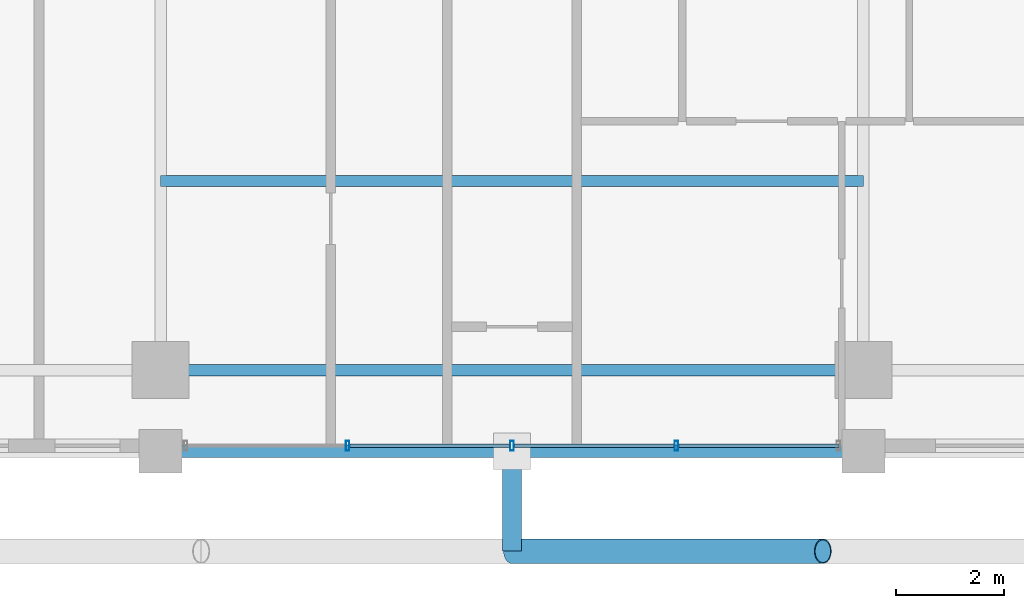
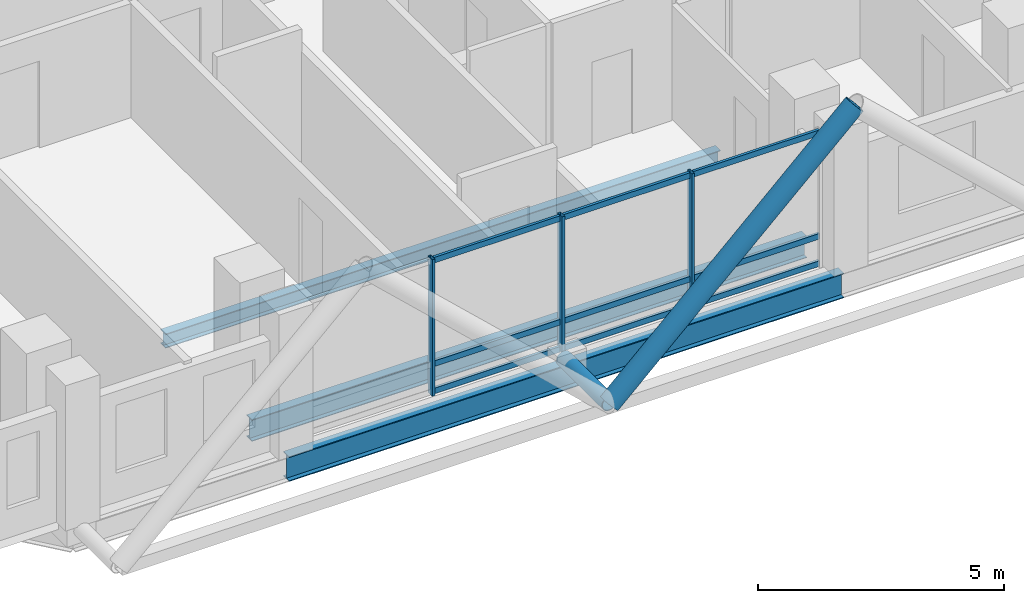
# One storey, part 4 of 26: 14 members, 3 beams, 1 element without a shape of its own.
"""IFC4 building model written with IfcOpenShell, lengths in metres."""

from ifc_helpers import new_model, si_unit, direction, frame, origin, origin_2d, place, context, subcontext, project, spatial, hollow_rectangle, hollow_circle, i_section, extrude, material, layer, layer_set, material_profile, profile_set, type_object, element, aggregate, save


model = new_model("IFC4")

# Units and contexts
model_context = context("Model", 3, precision=1e-05, world=origin(), true_north=direction((0.0, 1.0)))
body_context = subcontext(model_context, "Body", "Model", "MODEL_VIEW")
ifc_project = project(units=[si_unit("LENGTHUNIT", "METRE"), si_unit("AREAUNIT", "SQUARE_METRE"), si_unit("VOLUMEUNIT", "CUBIC_METRE"), si_unit("PLANEANGLEUNIT", "RADIAN"), si_unit("MASSUNIT", "GRAM", prefix="KILO")], contexts=[model_context])

# Site, building, storey
site_placement = place(None, origin())
site = spatial("IfcSite", under=ifc_project, at=site_placement, CompositionType="ELEMENT")
building_placement = place(site_placement, origin())
building = spatial("IfcBuilding", under=site, at=building_placement, Name="Barlavira Tower and Art Museum", CompositionType="ELEMENT")
storey_placement = place(building_placement, frame((0.0, 0.0, 187.199951171875)))
storey = spatial("IfcBuildingStorey", under=building, at=storey_placement, Name="L48", CompositionType="ELEMENT", Elevation=187.199951171875)

# Curtain wall, members
ifc_material_1 = material(Name="Low-iron coastal laminated glass", Category="glass")
ifc_layer = layer(ifc_material_1, 0.199951171875, Name="Low-iron coastal laminated glass")
ifc_layer_set = layer_set([ifc_layer], Name="Low-iron coastal laminated glass")
curtain_wall_type = type_object("IfcCurtainWallType", Name="Pale-Metal Unitised Curtain Wall Zone 3", PredefinedType="NOTDEFINED", material=ifc_layer_set)
curtain_wall_placement = place(storey_placement, origin())
curtain_wall = element("IfcCurtainWall", 1, at=curtain_wall_placement, inside=storey, type_object=curtain_wall_type, Name="L48 Curtain Wall CW3-L48-S-B3", PredefinedType="NOTDEFINED")
ifc_material_2 = material(Name="Pale anodised aluminium", Category="aluminium")
ifc_material_profile_1 = material_profile(ifc_material_2, hollow_rectangle(XDim=0.06494140625, YDim=0.179931640625, WallThickness=0.00390625, at=origin_2d()), Name="ALU-MULL 65x180x4")
ifc_profile_set_1 = profile_set([ifc_material_profile_1], Name="Pale anodised aluminium")
member_type_1 = type_object("IfcMemberType", Name="Curtain Wall Pale-Metal Mullion 65x180", PredefinedType="MULLION", material=ifc_profile_set_1)
member_1_placement = place(storey_placement, frame((-3.0400390625, -21.39990234375, 0.0), z_axis=(0.0, 0.0, 1.0), x_axis=(1.0, 0.0, 0.0)))
member_1 = element("IfcMember", 2, at=member_1_placement, type_object=member_type_1, Name="CW3-L48-S-B3 Mullion 1", PredefinedType="MULLION", context=body_context, shape_type="SweptSolid", body=[
    extrude(hollow_rectangle(XDim=0.06494140625, YDim=0.179931640625, WallThickness=0.00390625, at=origin_2d()), origin(), (0.0, 0.0, 1.0), 3.380126953125),
])
member_2_placement = place(storey_placement, frame((0.0, -21.39990234375, 0.0), z_axis=(0.0, 0.0, 1.0), x_axis=(1.0, 0.0, 0.0)))
member_2 = element("IfcMember", 3, at=member_2_placement, type_object=member_type_1, Name="CW3-L48-S-B3 Mullion 2", PredefinedType="MULLION", context=body_context, shape_type="SweptSolid", body=[
    extrude(hollow_rectangle(XDim=0.06494140625, YDim=0.179931640625, WallThickness=0.00390625, at=origin_2d()), origin(), (0.0, 0.0, 1.0), 3.380126953125),
])
member_3_placement = place(storey_placement, frame((3.0400390625, -21.39990234375, 0.0), z_axis=(0.0, 0.0, 1.0), x_axis=(1.0, 0.0, 0.0)))
member_3 = element("IfcMember", 4, at=member_3_placement, type_object=member_type_1, Name="CW3-L48-S-B3 Mullion 3", PredefinedType="MULLION", context=body_context, shape_type="SweptSolid", body=[
    extrude(hollow_rectangle(XDim=0.06494140625, YDim=0.179931640625, WallThickness=0.00390625, at=origin_2d()), origin(), (0.0, 0.0, 1.0), 3.380126953125),
])
ifc_material_profile_2 = material_profile(ifc_material_2, hollow_rectangle(XDim=0.06494140625, YDim=0.139892578125, WallThickness=0.00390625, at=origin_2d()), Name="ALU-TRAN 65x140x4")
ifc_profile_set_2 = profile_set([ifc_material_profile_2], Name="Pale anodised aluminium")
member_type_2 = type_object("IfcMemberType", Name="Curtain Wall Pale-Metal Transom 65x140", PredefinedType="USERDEFINED", material=ifc_profile_set_2)
member_4_placement = place(storey_placement, frame((-2.9951171875, -21.39990234375, 0.070068359375), z_axis=(1.0, 0.0, 0.0), x_axis=(0.0, 1.0, 0.0)))
member_4 = element("IfcMember", 5, at=member_4_placement, type_object=member_type_2, Name="CW3-L48-S-B3 Transom 1.1", ObjectType="TRANSOM", PredefinedType="USERDEFINED", context=body_context, shape_type="SweptSolid", body=[
    extrude(hollow_rectangle(XDim=0.06494140625, YDim=0.139892578125, WallThickness=0.00390625, at=origin_2d()), origin(), (0.0, 0.0, 1.0), 2.9501953125),
])
member_5_placement = place(storey_placement, frame((-2.9951171875, -21.39990234375, 0.744140625), z_axis=(1.0, 0.0, 0.0), x_axis=(0.0, 1.0, 0.0)))
member_5 = element("IfcMember", 6, at=member_5_placement, type_object=member_type_2, Name="CW3-L48-S-B3 Transom 1.2", ObjectType="TRANSOM", PredefinedType="USERDEFINED", context=body_context, shape_type="SweptSolid", body=[
    extrude(hollow_rectangle(XDim=0.06494140625, YDim=0.139892578125, WallThickness=0.00390625, at=origin_2d()), origin(), (0.0, 0.0, 1.0), 2.9501953125),
])
member_6_placement = place(storey_placement, frame((-2.9951171875, -21.39990234375, 3.31005859375), z_axis=(1.0, 0.0, 0.0), x_axis=(0.0, 1.0, 0.0)))
member_6 = element("IfcMember", 7, at=member_6_placement, type_object=member_type_2, Name="CW3-L48-S-B3 Transom 1.3", ObjectType="TRANSOM", PredefinedType="USERDEFINED", context=body_context, shape_type="SweptSolid", body=[
    extrude(hollow_rectangle(XDim=0.06494140625, YDim=0.139892578125, WallThickness=0.00390625, at=origin_2d()), origin(), (0.0, 0.0, 1.0), 2.9501953125),
])
member_7_placement = place(storey_placement, frame((0.044921875, -21.39990234375, 0.070068359375), z_axis=(1.0, 0.0, 0.0), x_axis=(0.0, 1.0, 0.0)))
member_7 = element("IfcMember", 8, at=member_7_placement, type_object=member_type_2, Name="CW3-L48-S-B3 Transom 2.1", ObjectType="TRANSOM", PredefinedType="USERDEFINED", context=body_context, shape_type="SweptSolid", body=[
    extrude(hollow_rectangle(XDim=0.06494140625, YDim=0.139892578125, WallThickness=0.00390625, at=origin_2d()), origin(), (0.0, 0.0, 1.0), 2.9501953125),
])
member_8_placement = place(storey_placement, frame((0.044921875, -21.39990234375, 0.744140625), z_axis=(1.0, 0.0, 0.0), x_axis=(0.0, 1.0, 0.0)))
member_8 = element("IfcMember", 9, at=member_8_placement, type_object=member_type_2, Name="CW3-L48-S-B3 Transom 2.2", ObjectType="TRANSOM", PredefinedType="USERDEFINED", context=body_context, shape_type="SweptSolid", body=[
    extrude(hollow_rectangle(XDim=0.06494140625, YDim=0.139892578125, WallThickness=0.00390625, at=origin_2d()), origin(), (0.0, 0.0, 1.0), 2.9501953125),
])
member_9_placement = place(storey_placement, frame((0.044921875, -21.39990234375, 3.31005859375), z_axis=(1.0, 0.0, 0.0), x_axis=(0.0, 1.0, 0.0)))
member_9 = element("IfcMember", 10, at=member_9_placement, type_object=member_type_2, Name="CW3-L48-S-B3 Transom 2.3", ObjectType="TRANSOM", PredefinedType="USERDEFINED", context=body_context, shape_type="SweptSolid", body=[
    extrude(hollow_rectangle(XDim=0.06494140625, YDim=0.139892578125, WallThickness=0.00390625, at=origin_2d()), origin(), (0.0, 0.0, 1.0), 2.9501953125),
])
member_10_placement = place(storey_placement, frame((3.0849609375, -21.39990234375, 0.070068359375), z_axis=(1.0, 0.0, 0.0), x_axis=(0.0, 1.0, 0.0)))
member_10 = element("IfcMember", 11, at=member_10_placement, type_object=member_type_2, Name="CW3-L48-S-B3 Transom 3.1", ObjectType="TRANSOM", PredefinedType="USERDEFINED", context=body_context, shape_type="SweptSolid", body=[
    extrude(hollow_rectangle(XDim=0.06494140625, YDim=0.139892578125, WallThickness=0.00390625, at=origin_2d()), origin(), (0.0, 0.0, 1.0), 2.949951171875),
])
member_11_placement = place(storey_placement, frame((3.0849609375, -21.39990234375, 0.744140625), z_axis=(1.0, 0.0, 0.0), x_axis=(0.0, 1.0, 0.0)))
member_11 = element("IfcMember", 12, at=member_11_placement, type_object=member_type_2, Name="CW3-L48-S-B3 Transom 3.2", ObjectType="TRANSOM", PredefinedType="USERDEFINED", context=body_context, shape_type="SweptSolid", body=[
    extrude(hollow_rectangle(XDim=0.06494140625, YDim=0.139892578125, WallThickness=0.00390625, at=origin_2d()), origin(), (0.0, 0.0, 1.0), 2.949951171875),
])
member_12_placement = place(storey_placement, frame((3.0849609375, -21.39990234375, 3.31005859375), z_axis=(1.0, 0.0, 0.0), x_axis=(0.0, 1.0, 0.0)))
member_12 = element("IfcMember", 13, at=member_12_placement, type_object=member_type_2, Name="CW3-L48-S-B3 Transom 3.3", ObjectType="TRANSOM", PredefinedType="USERDEFINED", context=body_context, shape_type="SweptSolid", body=[
    extrude(hollow_rectangle(XDim=0.06494140625, YDim=0.139892578125, WallThickness=0.00390625, at=origin_2d()), origin(), (0.0, 0.0, 1.0), 2.949951171875),
])
aggregate(curtain_wall, [member_1, member_2, member_3, member_4, member_5, member_6, member_7, member_8, member_9, member_10, member_11, member_12])

# Members
ifc_material_3 = material(Name="Steel S355", Category="steel")
ifc_material_profile_3 = material_profile(ifc_material_3, hollow_circle(Radius=0.228515625, WallThickness=0.02001953125, at=origin_2d()), Name="CHS 457.0x20.0")
ifc_profile_set_3 = profile_set([ifc_material_profile_3], Name="Steel S355")
member_type_3 = type_object("IfcMemberType", Name="Pale-Metal Exoskeleton Diagrid Tube CHS 457x20 Steel S355", PredefinedType="BRACE", material=ifc_profile_set_3)
member_13_placement = place(storey_placement, frame((0.0, -23.35009765625, -0.119873046875), z_axis=(0.728950095515, 0.0, 0.684566839869), x_axis=(0.0, 1.0, 0.0)))
element("IfcMember", 14, at=member_13_placement, inside=storey, type_object=member_type_3, Name="L48 Exoskeleton Diagrid Tube S", PredefinedType="BRACE", context=body_context, shape_type="SweptSolid", body=[
    extrude(hollow_circle(Radius=0.228515625, WallThickness=0.02001953125, at=origin_2d()), origin(), (0.0, 0.0, 1.0), 7.887939453125),
])
ifc_material_profile_4 = material_profile(ifc_material_3, hollow_circle(Radius=0.177734375, WallThickness=0.01611328125, at=origin_2d()), Name="CHS 355.6x16.0")
ifc_profile_set_4 = profile_set([ifc_material_profile_4], Name="Steel S355")
member_type_4 = type_object("IfcMemberType", Name="Pale-Metal Exoskeleton Tie Strut CHS 356x16 Steel S355", PredefinedType="STRUT", material=ifc_profile_set_4)
member_14_placement = place(storey_placement, frame((0.0, -23.35009765625, -0.119873046875), z_axis=(0.0, 1.0, 0.0), x_axis=(-1.0, 0.0, 0.0)))
element("IfcMember", 15, at=member_14_placement, inside=storey, type_object=member_type_4, Name="L48 Exoskeleton Tie Strut S2", PredefinedType="STRUT", context=body_context, shape_type="SweptSolid", body=[
    extrude(hollow_circle(Radius=0.177734375, WallThickness=0.01611328125, at=origin_2d()), origin(), (0.0, 0.0, 1.0), 1.85009765625),
])

# Beams
ifc_material_profile_5 = material_profile(ifc_material_3, i_section(OverallWidth=0.22998046875, OverallDepth=0.616943359375, WebThickness=0.01318359375, FlangeThickness=0.022216796875, at=origin_2d()), Name="W610x140.0")
ifc_profile_set_5 = profile_set([ifc_material_profile_5], Name="Steel S355")
beam_type_1 = type_object("IfcBeamType", Name="Upper Shaft Spandrel Edge Beam W610x140 Steel S355", PredefinedType="SPANDREL", material=ifc_profile_set_5)
beam_1_placement = place(storey_placement, frame((-6.5, -21.5, -0.528564453125), z_axis=(1.0, 0.0, 0.0), x_axis=(0.0, 1.0, 0.0)))
element("IfcBeam", 16, at=beam_1_placement, inside=storey, type_object=beam_type_1, Name="L48 Spandrel 2", PredefinedType="SPANDREL", context=body_context, shape_type="SweptSolid", body=[
    extrude(i_section(OverallWidth=0.22998046875, OverallDepth=0.616943359375, WebThickness=0.01318359375, FlangeThickness=0.022216796875, at=origin_2d()), origin(), (0.0, 0.0, 1.0), 13.0),
])
ifc_material_profile_6 = material_profile(ifc_material_3, i_section(OverallWidth=0.205078125, OverallDepth=0.35400390625, WebThickness=0.009521484375, FlangeThickness=0.016845703125, at=origin_2d()), Name="W360x79.0")
ifc_profile_set_6 = profile_set([ifc_material_profile_6], Name="Steel S355")
beam_type_2 = type_object("IfcBeamType", Name="Zone 3 Composite Floor Joist W360x79 Steel S355", PredefinedType="JOIST", material=ifc_profile_set_6)
beam_2_placement = place(storey_placement, frame((-6.5, -16.5, -0.39697265625), z_axis=(1.0, 0.0, 0.0), x_axis=(0.0, 1.0, 0.0)))
element("IfcBeam", 17, at=beam_2_placement, inside=storey, type_object=beam_type_2, Name="L48 Joist C1", PredefinedType="JOIST", context=body_context, shape_type="SweptSolid", body=[
    extrude(i_section(OverallWidth=0.205078125, OverallDepth=0.35400390625, WebThickness=0.009521484375, FlangeThickness=0.016845703125, at=origin_2d()), origin(), (0.0, 0.0, 1.0), 13.0),
])
ifc_material_profile_7 = material_profile(ifc_material_3, i_section(OverallWidth=0.2109375, OverallDepth=0.5390625, WebThickness=0.01171875, FlangeThickness=0.018798828125, at=origin_2d()), Name="W530x109.0")
ifc_profile_set_7 = profile_set([ifc_material_profile_7], Name="Steel S355")
beam_type_3 = type_object("IfcBeamType", Name="Zone 3-4 Primary Floor Girder W530x109 Steel S355", PredefinedType="BEAM", material=ifc_profile_set_7)
beam_3_placement = place(storey_placement, frame((-6.5, -20.0, -0.489501953125), z_axis=(1.0, 0.0, 0.0), x_axis=(0.0, 1.0, 0.0)))
element("IfcBeam", 18, at=beam_3_placement, inside=storey, type_object=beam_type_3, Name="L48 Girder M-S2", PredefinedType="BEAM", context=body_context, shape_type="SweptSolid", body=[
    extrude(i_section(OverallWidth=0.2109375, OverallDepth=0.5390625, WebThickness=0.01171875, FlangeThickness=0.018798828125, at=origin_2d()), origin(), (0.0, 0.0, 1.0), 13.0),
])

save(model, "model.ifc")
